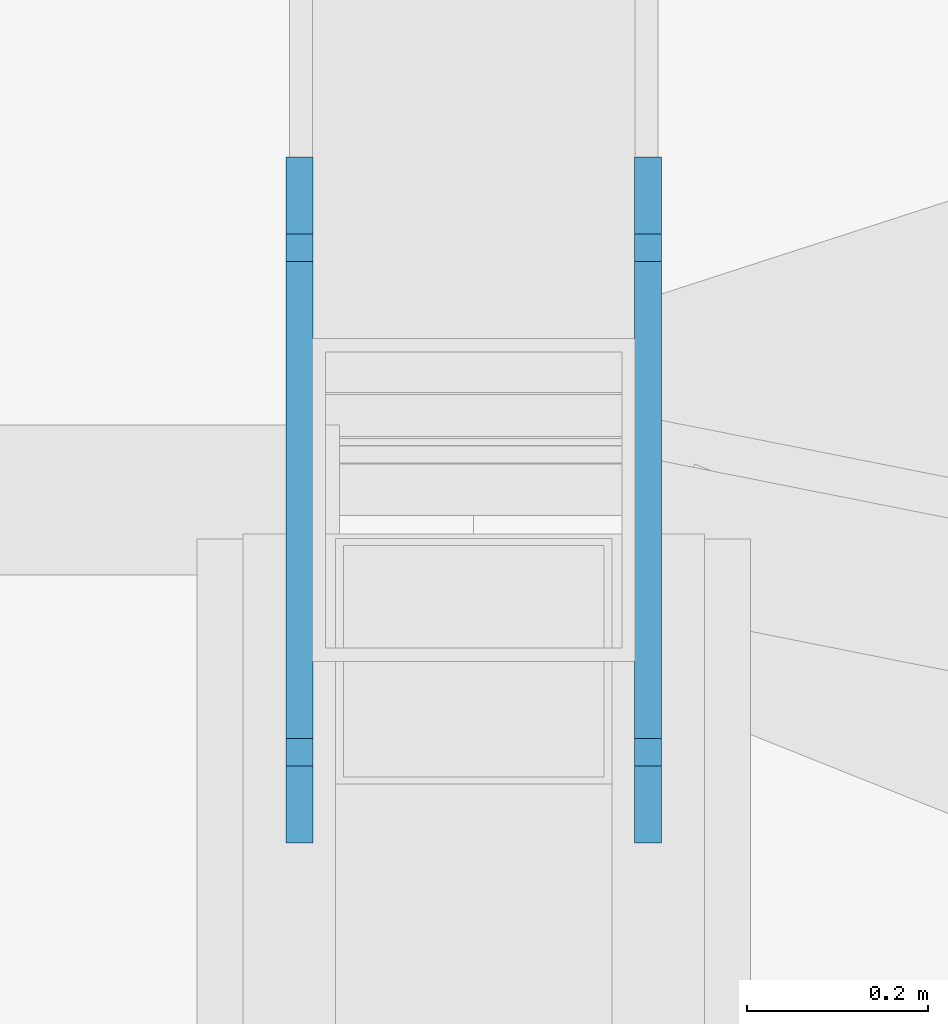
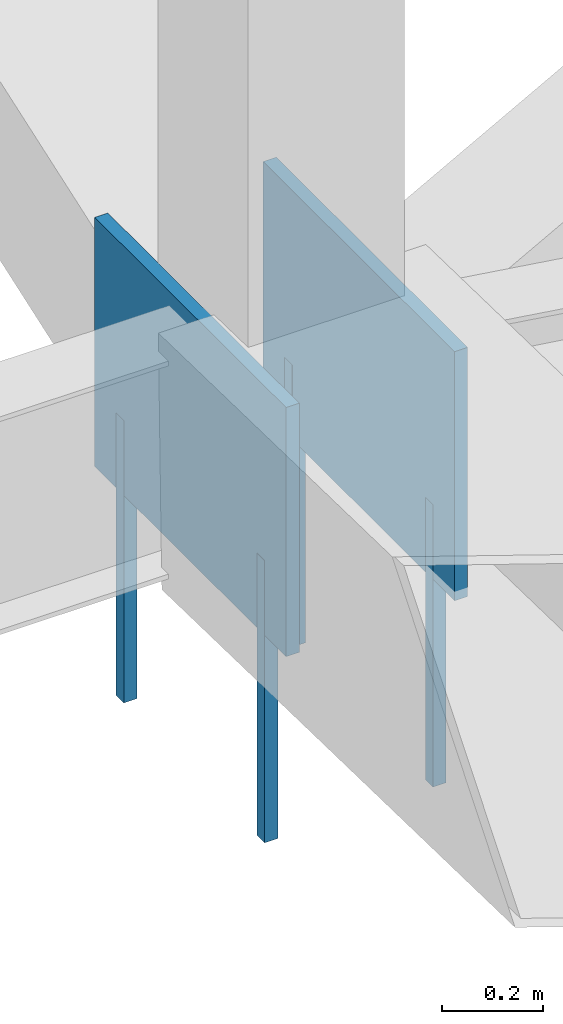
# One storey, part 245 of 278: 4 mechanical fasteners, 2 discrete accessories.
"""IFC4 building model written with IfcOpenShell, lengths in metres."""

from ifc_helpers import new_model, si_unit, direction, frame, origin, origin_2d, place, context, subcontext, project, spatial, rectangle, extrude, material, layer, layer_set, type_object, element, save


model = new_model("IFC4")

# Units and contexts
model_context = context("Model", 3, precision=1e-05, world=origin(), true_north=direction((0.0, 1.0)))
body_context = subcontext(model_context, "Body", "Model", "MODEL_VIEW")
ifc_project = project(units=[si_unit("LENGTHUNIT", "METRE"), si_unit("AREAUNIT", "SQUARE_METRE"), si_unit("VOLUMEUNIT", "CUBIC_METRE"), si_unit("PLANEANGLEUNIT", "RADIAN"), si_unit("MASSUNIT", "GRAM", prefix="KILO")], contexts=[model_context])

# Site, building, storey
site_placement = place(None, origin())
site = spatial("IfcSite", under=ifc_project, at=site_placement, CompositionType="ELEMENT")
building_placement = place(site_placement, origin())
building = spatial("IfcBuilding", under=site, at=building_placement, Name="Ogive Plaza Stadium", CompositionType="ELEMENT")
storey_placement = place(building_placement, frame((0.0, 0.0, 29.0)))
storey = spatial("IfcBuildingStorey", under=building, at=storey_placement, Name="Roof", CompositionType="ELEMENT", Elevation=29.0)

# Mechanical fasteners
ifc_material_1 = material(Name="Steel ASTM A992 Grade 50", Category="steel")
mechanical_fastener_type = type_object("IfcMechanicalFastenerType", Name="Anchor bolt M30 x 600", PredefinedType="ANCHORBOLT", material=ifc_material_1)
for number, where, z_axis, x_axis, name in (
    (1, (33.80810546875, 92.77783203125, -0.5), (0.0, 0.0, 1.0), (0.0, 1.0, 0.0), "ANCHOR BOLT 37 BP 1.1"),
    (2, (33.80810546875, 92.22216796875, -0.5), (0.0, 0.0, 1.0), (0.0, 1.0, 0.0), "ANCHOR BOLT 37 BP 1.2"),
    (3, (34.19189453125, 92.77783203125, -0.5), (0.0, 0.0, 1.0), (0.0, 1.0, 0.0), "ANCHOR BOLT 37 BP 2.1"),
    (4, (34.19189453125, 92.22216796875, -0.5), (0.0, 0.0, 1.0), (0.0, 1.0, 0.0), "ANCHOR BOLT 37 BP 2.2"),
):
    element("IfcMechanicalFastener", number, at=place(storey_placement, frame(where, z_axis=z_axis, x_axis=x_axis)), inside=storey, type_object=mechanical_fastener_type, Name=name, PredefinedType="ANCHORBOLT", context=body_context, shape_type="SweptSolid", body=[
        extrude(rectangle(XDim=0.030029296875, YDim=0.030029296875, at=origin_2d()), origin(), (0.0, 0.0, 1.0), 0.679931640625),
    ])

# Discrete accessories
ifc_material_2 = material(Name="Steel ASTM A992 Grade 50", Category="steel")
ifc_layer = layer(ifc_material_2, 0.030029296875)
ifc_layer_set = layer_set([ifc_layer], Name="Steel ASTM A992 Grade 50")
discrete_accessory_type = type_object("IfcDiscreteAccessoryType", Name="Truss root foot cleat plate 30", PredefinedType="ANCHORPLATE", material=ifc_layer_set)
for number, where, z_axis, x_axis, name in (
    (5, (33.80810546875, 92.5, 0.0), (0.0, 0.0, 1.0), (0.0, 1.0, 0.0), "TRUSS ROOT FOOT CLEAT PLATE 37 1"),
    (6, (34.19189453125, 92.5, 0.0), (0.0, 0.0, 1.0), (0.0, 1.0, 0.0), "TRUSS ROOT FOOT CLEAT PLATE 37 2"),
):
    element("IfcDiscreteAccessory", number, at=place(storey_placement, frame(where, z_axis=z_axis, x_axis=x_axis)), inside=storey, type_object=discrete_accessory_type, Name=name, PredefinedType="ANCHORPLATE", context=body_context, shape_type="SweptSolid", body=[
        extrude(rectangle(XDim=0.755615234375, YDim=0.030029296875, at=origin_2d()), origin(), (0.0, 0.0, 1.0), 0.60009765625),
    ])

save(model, "model.ifc")
